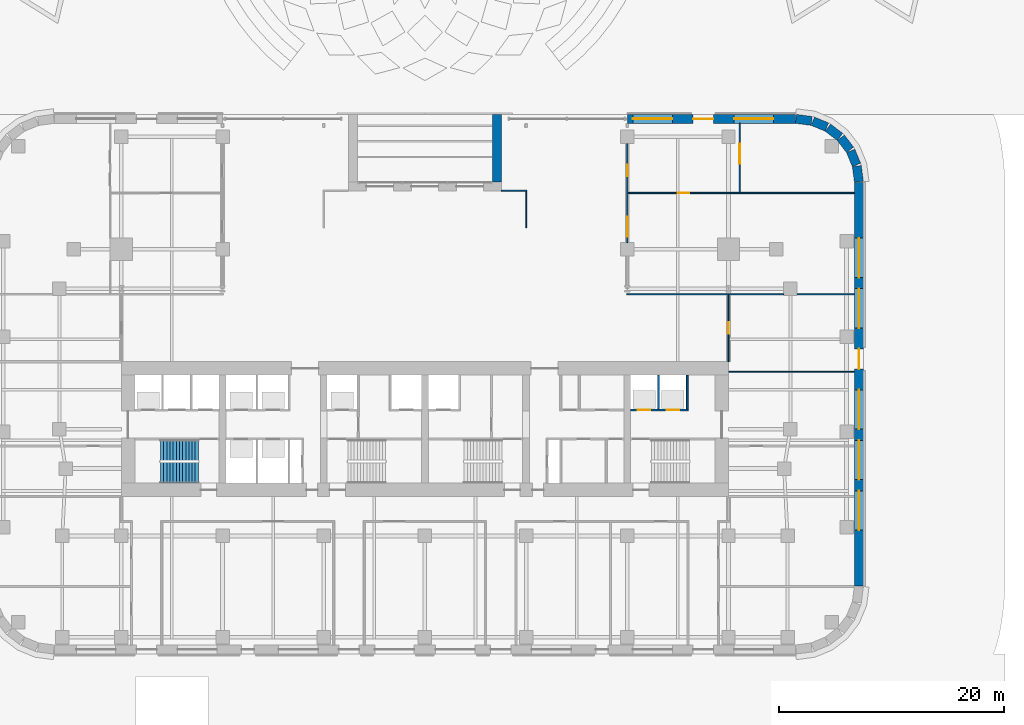
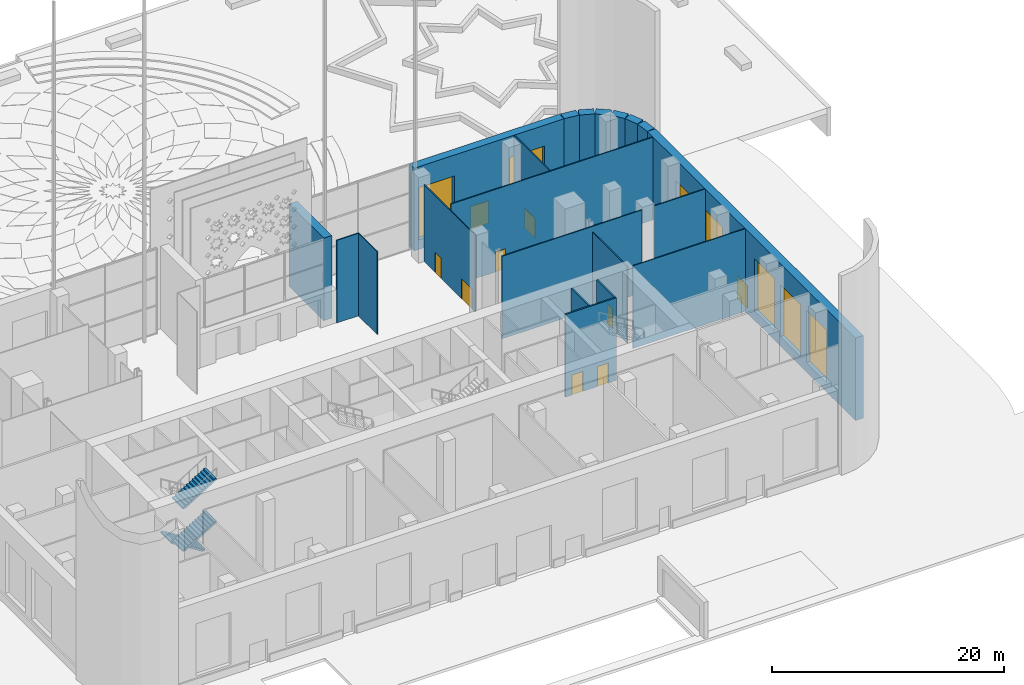
# One storey, part 14 of 23: 21 walls, 9 doors, 7 windows, 3 stair flights, 16 openings, 1 element without a shape of its own.
"""IFC4 building model written with IfcOpenShell, lengths in metres."""

import ifcopenshell
import ifcopenshell.guid

model = None  # the IFC model being written
_history = None  # IfcOwnerHistory: only IFC2X3 demands one
_inside = {}  # id of a spatial element -> (the spatial element, [elements in it])
_under = {}  # id of a project, library or spatial element -> (it, [spatial elements below it])
_declared = {}  # id of a project -> (the project, [libraries it declares])
_typed = {}  # id of a type object -> (the type object, [elements of that type])
_made_of = {}  # id of a material, layer set ... -> (it, [elements and type objects made of it])


def new_model(schema):
    """Start an empty IFC model of exactly this schema.

    Asked for "IFC4X3", IfcOpenShell would pick the latest addendum, in which some entities
    have other attributes; the version numbers below select the first issue.
    IFC2X3 requires an IfcOwnerHistory on every rooted entity: one is made here for all.
    """
    global model, _history
    if schema == "IFC4X3":
        model = ifcopenshell.file(schema_version=(4, 3, 0, 0))
    else:
        model = ifcopenshell.file(schema=schema)
    _inside.clear()
    _under.clear()
    _declared.clear()
    _typed.clear()
    _made_of.clear()
    _history = None
    if model.schema == "IFC2X3":
        org = make("IfcOrganization", Name="unknown")
        user = make(
            "IfcPersonAndOrganization",
            ThePerson=make("IfcPerson", FamilyName="unknown"),
            TheOrganization=org,
        )
        app = make(
            "IfcApplication",
            ApplicationDeveloper=org,
            Version="unknown",
            ApplicationFullName="unknown",
            ApplicationIdentifier="unknown",
        )
        _history = make(
            "IfcOwnerHistory",
            OwningUser=user,
            OwningApplication=app,
            ChangeAction="ADDED",
            CreationDate=0,
        )
    return model


def make(cls, **values):
    """One entity of the class cls with the attributes given. An attribute that is None is left unset."""
    return model.create_entity(
        cls, **{name: value for name, value in values.items() if value is not None}
    )


def rooted(cls, **values):
    """An entity with a GlobalId (a new one), such as an element, a storey or a relation."""
    return make(cls, GlobalId=ifcopenshell.guid.new(), OwnerHistory=_history, **values)


def si_unit(unit_type, name, prefix=None):
    """IfcSIUnit, for example si_unit("LENGTHUNIT", "METRE", prefix="MILLI")."""
    return make("IfcSIUnit", UnitType=unit_type, Prefix=prefix, Name=name)


def assignment(units):
    """IfcUnitAssignment: the units of a project."""
    return None if units is None else make("IfcUnitAssignment", Units=units)


def point(xyz):
    """IfcCartesianPoint."""
    return None if xyz is None else make("IfcCartesianPoint", Coordinates=xyz)


def direction(xyz):
    """IfcDirection."""
    return None if xyz is None else make("IfcDirection", DirectionRatios=xyz)


def frame(location, z_axis=None, x_axis=None):
    """IfcAxis2Placement3D, a coordinate frame: its origin and axes. An axis left out is left unset."""
    return make(
        "IfcAxis2Placement3D",
        Location=point(location),
        Axis=direction(z_axis),
        RefDirection=direction(x_axis),
    )


def frame_2d(location, x_axis=None):
    """IfcAxis2Placement2D, a coordinate frame in the plane: its origin and x axis."""
    return make(
        "IfcAxis2Placement2D", Location=point(location), RefDirection=direction(x_axis)
    )


def origin():
    """The frame at (0, 0, 0) with its axes left unset."""
    return frame((0.0, 0.0, 0.0))


def place(relative_to, where):
    """IfcLocalPlacement: puts the frame where relative to a parent placement (None: the world)."""
    return make(
        "IfcLocalPlacement", PlacementRelTo=relative_to, RelativePlacement=where
    )


def context(
    kind, dimensions, precision=None, world=None, true_north=None, identifier=None
):
    """IfcGeometricRepresentationContext, for example the 3D "Model" context."""
    return make(
        "IfcGeometricRepresentationContext",
        ContextIdentifier=identifier,
        ContextType=kind,
        CoordinateSpaceDimension=dimensions,
        Precision=precision,
        WorldCoordinateSystem=world,
        TrueNorth=true_north,
    )


def subcontext(parent, identifier, kind, view, scale=None):
    """IfcGeometricRepresentationSubContext, for example "Body" below "Model"."""
    return make(
        "IfcGeometricRepresentationSubContext",
        ContextIdentifier=identifier,
        ContextType=kind,
        ParentContext=parent,
        TargetScale=scale,
        TargetView=view,
    )


def project(units=None, contexts=None):
    """IfcProject with its units and contexts."""
    return rooted(
        "IfcProject",
        Name="project",
        RepresentationContexts=contexts,
        UnitsInContext=assignment(units),
    )


def spatial(cls, under=None, at=None, **own):
    """A site, building, storey or space (cls), placed at a placement, below another one or the project."""
    s = rooted(cls, ObjectPlacement=at, **own)
    if under is not None:
        _under.setdefault(under.id(), (under, []))[1].append(s)
    return s


def polyline(points):
    """IfcPolyline through the points."""
    return make("IfcPolyline", Points=[point(p) for p in points])


def profile(cls, at=None, kind="AREA", **sizes):
    """A parametric profile (cls). Its sizes go by their IFC names, for example OverallWidth=200.0."""
    return make(cls, ProfileType=kind, Position=at, **sizes)


def rectangle(**sizes):
    """IfcRectangleProfileDef."""
    return profile("IfcRectangleProfileDef", **sizes)


def outline(outer, holes=None, kind="AREA"):
    """IfcArbitraryClosedProfileDef: a profile drawn as a closed curve; with holes, ...WithVoids."""
    if holes is None:
        return make("IfcArbitraryClosedProfileDef", ProfileType=kind, OuterCurve=outer)
    return make(
        "IfcArbitraryProfileDefWithVoids",
        ProfileType=kind,
        OuterCurve=outer,
        InnerCurves=holes,
    )


def extrude(swept, where, along, depth):
    """IfcExtrudedAreaSolid: the profile swept, set in the frame where, extruded along a direction by depth."""
    return make(
        "IfcExtrudedAreaSolid",
        SweptArea=swept,
        Position=where,
        ExtrudedDirection=direction(along),
        Depth=depth,
    )


def shape(context_of_items, identifier, shape_type, items):
    """IfcShapeRepresentation: the items that make up one representation, for example the "Body"."""
    return make(
        "IfcShapeRepresentation",
        ContextOfItems=context_of_items,
        RepresentationIdentifier=identifier,
        RepresentationType=shape_type,
        Items=items,
    )


def material(Name=None, Category=None):
    """IfcMaterial."""
    return make("IfcMaterial", Name=Name, Category=Category)


def layer(
    of_material, thickness, ventilated=None, Name=None, Category=None, Priority=None
):
    """IfcMaterialLayer: one layer of a wall or slab, of a material (None: an air gap)."""
    return make(
        "IfcMaterialLayer",
        Material=of_material,
        LayerThickness=thickness,
        IsVentilated=ventilated,
        Name=Name,
        Category=Category,
        Priority=Priority,
    )


def layer_set(layers, Name=None):
    """IfcMaterialLayerSet."""
    return make("IfcMaterialLayerSet", MaterialLayers=layers, LayerSetName=Name)


def made_of(thing, what):
    """Note that an element or type object is made of a material, layer set ...; save() writes the relation."""
    if what is not None:
        _made_of.setdefault(what.id(), (what, []))[1].append(thing)
    return thing


def type_object(cls, material=None, **own):
    """A type object (cls), such as IfcWallType, which elements share."""
    return made_of(rooted(cls, **own), material)


def element(
    cls,
    number,
    at=None,
    inside=None,
    cuts=None,
    type_object=None,
    material=None,
    context=None,
    identifier="Body",
    shape_type=None,
    held_by="IfcProductDefinitionShape",
    body=None,
    shapes=None,
    **own,
):
    """One element of the class cls, such as IfcWall. Its Tag is "e" and its number.

    at: its placement. inside: the storey or other place that contains it. cuts: it is an
    opening in that element (IfcRelVoidsElement). A single representation is given by context,
    identifier, shape_type and body (its items); several are given by shapes. held_by: the class
    of the entity that holds the representations. save() writes the other relations.
    """
    e = rooted(cls, Tag="e%d" % number, ObjectPlacement=at, **own)
    if body is not None:
        shapes = [shape(context, identifier, shape_type, body)]
    if shapes is not None:
        e.Representation = make(held_by, Representations=shapes)
    if inside is not None:
        _inside.setdefault(inside.id(), (inside, []))[1].append(e)
    if cuts is not None:
        rooted(
            "IfcRelVoidsElement", RelatingBuildingElement=cuts, RelatedOpeningElement=e
        )
    if type_object is not None:
        _typed.setdefault(type_object.id(), (type_object, []))[1].append(e)
    return made_of(e, material)


def fill(opening, filler):
    """IfcRelFillsElement: the door or window that sits in an opening."""
    return rooted(
        "IfcRelFillsElement",
        RelatingOpeningElement=opening,
        RelatedBuildingElement=filler,
    )


def aggregate(whole, parts):
    """IfcRelAggregates: a whole, such as a stair, and the parts it consists of."""
    return rooted("IfcRelAggregates", RelatingObject=whole, RelatedObjects=parts)


def save(model, path):
    """Write the relations noted so far, then the file.

    IfcRelAggregates (storeys below a building ...), IfcRelContainedInSpatialStructure (elements
    in a storey), IfcRelDefinesByType, IfcRelAssociatesMaterial and IfcRelDeclares: one each for
    every whole, place, type object, material and project.
    """
    for whole, parts in _under.values():
        aggregate(whole, parts)
    for where, things in _inside.values():
        rooted(
            "IfcRelContainedInSpatialStructure",
            RelatedElements=things,
            RelatingStructure=where,
        )
    for kind, things in _typed.values():
        rooted("IfcRelDefinesByType", RelatedObjects=things, RelatingType=kind)
    for what, things in _made_of.values():
        rooted("IfcRelAssociatesMaterial", RelatedObjects=things, RelatingMaterial=what)
    for by, libraries in _declared.values():
        rooted("IfcRelDeclares", RelatingContext=by, RelatedDefinitions=libraries)
    model.write(path)


model = new_model("IFC4")

# Units and contexts
model_context = context("Model", 3, precision=1e-05, world=origin(), true_north=direction((0.0, 1.0)))
body_context = subcontext(model_context, "Body", "Model", "MODEL_VIEW")
ifc_project = project(units=[si_unit("LENGTHUNIT", "METRE"), si_unit("AREAUNIT", "SQUARE_METRE"), si_unit("VOLUMEUNIT", "CUBIC_METRE"), si_unit("PLANEANGLEUNIT", "RADIAN"), si_unit("MASSUNIT", "GRAM", prefix="KILO")], contexts=[model_context])

# Site, building, storey
site_placement = place(None, origin())
site = spatial("IfcSite", under=ifc_project, at=site_placement, CompositionType="ELEMENT")
building_placement = place(site_placement, origin())
building = spatial("IfcBuilding", under=site, at=building_placement, Name="Zellij Exchange Tower", CompositionType="ELEMENT")
storey_placement = place(building_placement, origin())
storey = spatial("IfcBuildingStorey", under=building, at=storey_placement, Name="L00", CompositionType="ELEMENT", Elevation=0.0)

# Walls
ifc_material_1 = material(Name="Gypsum shaft wall system")
ifc_layer_1 = layer(ifc_material_1, 0.14990234375)
ifc_layer_set_1 = layer_set([ifc_layer_1], Name="Gypsum shaft wall system")
wall_type_1 = type_object("IfcWallType", Name="CORE-PW 150 Lift shaft wall", PredefinedType="PARTITIONING", material=ifc_layer_set_1)
for number, where, z_axis, x_axis, name in (
    (1, (20.77490234375, -6.22509765625, 0.0), (0.0, 0.0, 1.0), (0.0, 1.0, 0.0), "Lift shaft wall L00"),
    (2, (23.324951171875, -6.22509765625, 0.0), (0.0, 0.0, 1.0), (0.0, 1.0, 0.0), "Lift shaft wall L00"),
):
    element("IfcWall", number, at=place(storey_placement, frame(where, z_axis=z_axis, x_axis=x_axis)), inside=storey, type_object=wall_type_1, Name=name, PredefinedType="PARTITIONING", context=body_context, shape_type="SweptSolid", body=[
        extrude(rectangle(XDim=3.025146484375, YDim=0.14990234375, at=frame_2d((1.5126953125, 0.0))), origin(), (0.0, 0.0, 1.0), 8.699951171875),
    ])

# Wall, openings, doors
wall_1_placement = place(storey_placement, frame((18.300048828125, -6.300048828125, 0.0), z_axis=(0.0, 0.0, 1.0), x_axis=(1.0, 0.0, 0.0)))
wall_1 = element("IfcWall", 3, at=wall_1_placement, inside=storey, type_object=wall_type_1, Name="Lift shaft wall L00", PredefinedType="PARTITIONING", context=body_context, shape_type="SweptSolid", body=[
    extrude(rectangle(XDim=5.099853515625, YDim=0.14990234375, at=frame_2d((2.5498046875, 0.0))), origin(), (0.0, 0.0, 1.0), 8.699951171875),
])
opening_1_placement = place(wall_1_placement, frame((0.64990234375, 0.0, 0.0)))
opening_1 = element("IfcOpeningElement", 4, at=opening_1_placement, cuts=wall_1, Name="Opening CA-03.32", PredefinedType="OPENING", context=body_context, shape_type="SweptSolid", body=[
    extrude(rectangle(XDim=1.10009765625, YDim=2.10009765625, at=frame_2d((0.550048828125, 1.050048828125))), frame((0.0, 0.0869140625, 0.0), z_axis=(0.0, -1.0, 0.0), x_axis=(1.0, 0.0, 0.0)), (0.0, 0.0, 1.0), 0.173828125),
])
opening_2_placement = place(wall_1_placement, frame((3.199951171875, 0.0, 0.0)))
opening_2 = element("IfcOpeningElement", 5, at=opening_2_placement, cuts=wall_1, Name="Opening CA-03.33", PredefinedType="OPENING", context=body_context, shape_type="SweptSolid", body=[
    extrude(rectangle(XDim=1.10009765625, YDim=2.10009765625, at=frame_2d((0.550048828125, 1.050048828125))), frame((0.0, 0.0869140625, 0.0), z_axis=(0.0, -1.0, 0.0), x_axis=(1.0, 0.0, 0.0)), (0.0, 0.0, 1.0), 0.173828125),
])
ifc_material_2 = material(Name="Hollow metal fire door")
door_type_1 = type_object("IfcDoorType", Name="CORE-D LD Lift landing door 1100x2100 1.5 HR", OperationType="NOTDEFINED", PredefinedType="DOOR", material=ifc_material_2)
door_1_placement = place(opening_1_placement, origin())
door_1 = element("IfcDoor", 6, at=door_1_placement, inside=storey, type_object=door_type_1, Name="Lift landing door CA-03.32", OperationType="SLIDING_TO_RIGHT", OverallHeight=2.10009765625, OverallWidth=1.10009765625, PredefinedType="DOOR", context=body_context, shape_type="SweptSolid", body=[
    extrude(rectangle(XDim=1.10009765625, YDim=2.10009765625, at=frame_2d((0.550048828125, 1.050048828125))), frame((0.0, 0.02490234375, 0.0), z_axis=(0.0, -1.0, 0.0), x_axis=(1.0, 0.0, 0.0)), (0.0, 0.0, 1.0), 0.050048828125),
])
fill(opening_1, door_1)
door_2_placement = place(opening_2_placement, origin())
door_2 = element("IfcDoor", 7, at=door_2_placement, inside=storey, type_object=door_type_1, Name="Lift landing door CA-03.33", OperationType="SLIDING_TO_LEFT", OverallHeight=2.10009765625, OverallWidth=1.10009765625, PredefinedType="DOOR", context=body_context, shape_type="SweptSolid", body=[
    extrude(rectangle(XDim=1.10009765625, YDim=2.10009765625, at=frame_2d((0.550048828125, 1.050048828125))), frame((0.0, 0.02490234375, 0.0), z_axis=(0.0, -1.0, 0.0), x_axis=(1.0, 0.0, 0.0)), (0.0, 0.0, 1.0), 0.050048828125),
])
fill(opening_2, door_2)

# Wall, openings, door, windows
ifc_material_3 = material(Name="Precast concrete C40/50", Category="concrete")
ifc_layer_2 = layer(ifc_material_3, 0.800048828125)
ifc_layer_set_2 = layer_set([ifc_layer_2], Name="Precast concrete C40/50")
wall_type_2 = type_object("IfcWallType", Name="ENV-EW1 Precast stone-piered wall 800", PredefinedType="SOLIDWALL", material=ifc_layer_set_2)
wall_2_placement = place(storey_placement, frame((38.60009765625, -21.947509765625, 0.0), z_axis=(0.0, 0.0, 1.0), x_axis=(0.0, 1.0, 0.0)))
wall_2 = element("IfcWall", 8, at=wall_2_placement, inside=storey, type_object=wall_type_2, Name="fac.L00.07", PredefinedType="SOLIDWALL", context=body_context, shape_type="SweptSolid", body=[
    extrude(rectangle(XDim=35.89501953125, YDim=0.800048828125, at=frame_2d((17.947509765625, 0.0))), origin(), (0.0, 0.0, 1.0), 8.699951171875),
])
opening_3_placement = place(wall_2_placement, frame((4.9638671875, 0.0, 1.0)))
opening_3 = element("IfcOpeningElement", 9, at=opening_3_placement, cuts=wall_2, Name="Opening FP0.07", PredefinedType="OPENING", context=body_context, shape_type="SweptSolid", body=[
    extrude(rectangle(XDim=3.5, YDim=5.5, at=frame_2d((1.75, 2.75))), frame((0.0, 0.412109375, 0.0), z_axis=(0.0, -1.0, 0.0), x_axis=(1.0, 0.0, 0.0)), (0.0, 0.0, 1.0), 0.823974609375),
])
opening_4_placement = place(wall_2_placement, frame((9.45751953125, 0.0, 1.0)))
opening_4 = element("IfcOpeningElement", 10, at=opening_4_placement, cuts=wall_2, Name="Opening FP0.08", PredefinedType="OPENING", context=body_context, shape_type="SweptSolid", body=[
    extrude(rectangle(XDim=3.5, YDim=5.5, at=frame_2d((1.75, 2.75))), frame((0.0, 0.412109375, 0.0), z_axis=(0.0, -1.0, 0.0), x_axis=(1.0, 0.0, 0.0)), (0.0, 0.0, 1.0), 0.823974609375),
])
opening_5_placement = place(wall_2_placement, frame((13.950927734375, 0.0, 1.0)))
opening_5 = element("IfcOpeningElement", 11, at=opening_5_placement, cuts=wall_2, Name="Opening FP0.09", PredefinedType="OPENING", context=body_context, shape_type="SweptSolid", body=[
    extrude(rectangle(XDim=3.5, YDim=5.5, at=frame_2d((1.75, 2.75))), frame((0.0, 0.412109375, 0.0), z_axis=(0.0, -1.0, 0.0), x_axis=(1.0, 0.0, 0.0)), (0.0, 0.0, 1.0), 0.823974609375),
])
opening_6_placement = place(wall_2_placement, frame((22.937744140625, 0.0, 1.0)))
opening_6 = element("IfcOpeningElement", 12, at=opening_6_placement, cuts=wall_2, Name="Opening FP0.10", PredefinedType="OPENING", context=body_context, shape_type="SweptSolid", body=[
    extrude(rectangle(XDim=3.5, YDim=5.5, at=frame_2d((1.75, 2.75))), frame((0.0, 0.412109375, 0.0), z_axis=(0.0, -1.0, 0.0), x_axis=(1.0, 0.0, 0.0)), (0.0, 0.0, 1.0), 0.823974609375),
])
opening_7_placement = place(wall_2_placement, frame((27.43115234375, 0.0, 1.0)))
opening_7 = element("IfcOpeningElement", 13, at=opening_7_placement, cuts=wall_2, Name="Opening FP0.11", PredefinedType="OPENING", context=body_context, shape_type="SweptSolid", body=[
    extrude(rectangle(XDim=3.5, YDim=5.5, at=frame_2d((1.75, 2.75))), frame((0.0, 0.412109375, 0.0), z_axis=(0.0, -1.0, 0.0), x_axis=(1.0, 0.0, 0.0)), (0.0, 0.0, 1.0), 0.823974609375),
])
opening_8_placement = place(wall_2_placement, frame((19.294189453125, 0.0, 0.0)))
opening_8 = element("IfcOpeningElement", 14, at=opening_8_placement, cuts=wall_2, Name="Opening FP0.31", PredefinedType="OPENING", context=body_context, shape_type="SweptSolid", body=[
    extrude(rectangle(XDim=1.800048828125, YDim=2.39990234375, at=frame_2d((0.89990234375, 1.199951171875))), frame((0.0, 0.412109375, 0.0), z_axis=(0.0, -1.0, 0.0), x_axis=(1.0, 0.0, 0.0)), (0.0, 0.0, 1.0), 0.823974609375),
])
ifc_material_4 = material(Name="Aluminium and glass entrance door", Category="aluminium")
door_type_2 = type_object("IfcDoorType", Name="ENV-ED2 Side entrance 1800x2400", OperationType="DOUBLE_DOOR_SINGLE_SWING", PredefinedType="DOOR", material=ifc_material_4)
door_3_placement = place(opening_8_placement, frame((1.800048828125, 0.0, 0.0), z_axis=(0.0, 0.0, 1.0), x_axis=(-1.0, 0.0, 0.0)))
door_3 = element("IfcDoor", 15, at=door_3_placement, inside=storey, type_object=door_type_2, Name="Side entrance door FP0.31", OperationType="DOUBLE_DOOR_SINGLE_SWING", OverallHeight=2.39990234375, OverallWidth=1.800048828125, PredefinedType="DOOR", context=body_context, shape_type="SweptSolid", body=[
    extrude(rectangle(XDim=1.800048828125, YDim=2.39990234375, at=frame_2d((0.89990234375, 1.199951171875))), frame((0.0, 0.02490234375, 0.0), z_axis=(0.0, -1.0, 0.0), x_axis=(1.0, 0.0, 0.0)), (0.0, 0.0, 1.0), 0.050048828125),
])
fill(opening_8, door_3)
ifc_material_5 = material(Name="Aluminium frame with insulating glass", Category="aluminium")
window_type = type_object("IfcWindowType", Name="ENV-W3 Window 3500x5500", PartitioningType="SINGLE_PANEL", PredefinedType="WINDOW", material=ifc_material_5)
window_1_placement = place(opening_3_placement, origin())
window_1 = element("IfcWindow", 16, at=window_1_placement, inside=storey, type_object=window_type, Name="Window FP0.07", OverallHeight=5.5, OverallWidth=3.5, PartitioningType="SINGLE_PANEL", PredefinedType="WINDOW", context=body_context, shape_type="SweptSolid", body=[
    extrude(rectangle(XDim=3.5, YDim=5.5, at=frame_2d((1.75, 2.75))), frame((0.0, 0.030029296875, 0.0), z_axis=(0.0, -1.0, 0.0), x_axis=(1.0, 0.0, 0.0)), (0.0, 0.0, 1.0), 0.06005859375),
])
fill(opening_3, window_1)
window_2_placement = place(opening_4_placement, origin())
window_2 = element("IfcWindow", 17, at=window_2_placement, inside=storey, type_object=window_type, Name="Window FP0.08", OverallHeight=5.5, OverallWidth=3.5, PartitioningType="SINGLE_PANEL", PredefinedType="WINDOW", context=body_context, shape_type="SweptSolid", body=[
    extrude(rectangle(XDim=3.5, YDim=5.5, at=frame_2d((1.75, 2.75))), frame((0.0, 0.030029296875, 0.0), z_axis=(0.0, -1.0, 0.0), x_axis=(1.0, 0.0, 0.0)), (0.0, 0.0, 1.0), 0.06005859375),
])
fill(opening_4, window_2)
window_3_placement = place(opening_5_placement, origin())
window_3 = element("IfcWindow", 18, at=window_3_placement, inside=storey, type_object=window_type, Name="Window FP0.09", OverallHeight=5.5, OverallWidth=3.5, PartitioningType="SINGLE_PANEL", PredefinedType="WINDOW", context=body_context, shape_type="SweptSolid", body=[
    extrude(rectangle(XDim=3.5, YDim=5.5, at=frame_2d((1.75, 2.75))), frame((0.0, 0.030029296875, 0.0), z_axis=(0.0, -1.0, 0.0), x_axis=(1.0, 0.0, 0.0)), (0.0, 0.0, 1.0), 0.06005859375),
])
fill(opening_5, window_3)
window_4_placement = place(opening_6_placement, origin())
window_4 = element("IfcWindow", 19, at=window_4_placement, inside=storey, type_object=window_type, Name="Window FP0.10", OverallHeight=5.5, OverallWidth=3.5, PartitioningType="SINGLE_PANEL", PredefinedType="WINDOW", context=body_context, shape_type="SweptSolid", body=[
    extrude(rectangle(XDim=3.5, YDim=5.5, at=frame_2d((1.75, 2.75))), frame((0.0, 0.030029296875, 0.0), z_axis=(0.0, -1.0, 0.0), x_axis=(1.0, 0.0, 0.0)), (0.0, 0.0, 1.0), 0.06005859375),
])
fill(opening_6, window_4)
window_5_placement = place(opening_7_placement, origin())
window_5 = element("IfcWindow", 20, at=window_5_placement, inside=storey, type_object=window_type, Name="Window FP0.11", OverallHeight=5.5, OverallWidth=3.5, PartitioningType="SINGLE_PANEL", PredefinedType="WINDOW", context=body_context, shape_type="SweptSolid", body=[
    extrude(rectangle(XDim=3.5, YDim=5.5, at=frame_2d((1.75, 2.75))), frame((0.0, 0.030029296875, 0.0), z_axis=(0.0, -1.0, 0.0), x_axis=(1.0, 0.0, 0.0)), (0.0, 0.0, 1.0), 0.06005859375),
])
fill(opening_7, window_5)

# Walls
wall_3_placement = place(storey_placement, frame((38.5966796875, 13.999755859375, 0.0), z_axis=(0.0, 0.0, 1.0), x_axis=(-0.130517283865, 0.99144603414, 0.0)))
element("IfcWall", 21, at=wall_3_placement, inside=storey, type_object=wall_type_2, Name="fac.L00.08", PredefinedType="SOLIDWALL", context=body_context, shape_type="SweptSolid", body=[
    extrude(rectangle(XDim=1.408447265625, YDim=0.800048828125, at=frame_2d((0.7041015625, 0.0))), origin(), (0.0, 0.0, 1.0), 8.699951171875),
])
wall_4_placement = place(storey_placement, frame((38.3857421875, 15.497314453125, 0.0), z_axis=(0.0, 0.0, 1.0), x_axis=(-0.38276009378, 0.923847774587, 0.0)))
element("IfcWall", 22, at=wall_4_placement, inside=storey, type_object=wall_type_2, Name="fac.L00.09", PredefinedType="SOLIDWALL", context=body_context, shape_type="SweptSolid", body=[
    extrude(rectangle(XDim=1.35546875, YDim=0.800048828125, at=frame_2d((0.677734375, 0.0))), origin(), (0.0, 0.0, 1.0), 8.699951171875),
])
for number, where, z_axis, x_axis, name in (
    (23, (37.814697265625, 16.840087890625, 0.0), (0.0, 0.0, 1.0), (-0.608866226366, 0.793272915452, 0.0), "fac.L00.10"),
    (24, (36.91552734375, 17.9892578125, 0.0), (0.0, 0.0, 1.0), (-0.793272915452, 0.608866226366, 0.0), "fac.L00.11"),
):
    element("IfcWall", number, at=place(storey_placement, frame(where, z_axis=z_axis, x_axis=x_axis)), inside=storey, type_object=wall_type_2, Name=name, PredefinedType="SOLIDWALL", context=body_context, shape_type="SweptSolid", body=[
        extrude(rectangle(XDim=1.355712890625, YDim=0.800048828125, at=frame_2d((0.677734375, 0.0))), origin(), (0.0, 0.0, 1.0), 8.699951171875),
    ])
wall_5_placement = place(storey_placement, frame((35.74951171875, 18.866943359375, 0.0), z_axis=(0.0, 0.0, 1.0), x_axis=(-0.923847774587, 0.38276009378, 0.0)))
element("IfcWall", 25, at=wall_5_placement, inside=storey, type_object=wall_type_2, Name="fac.L00.12", PredefinedType="SOLIDWALL", context=body_context, shape_type="SweptSolid", body=[
    extrude(rectangle(XDim=1.35546875, YDim=0.800048828125, at=frame_2d((0.677734375, 0.0))), origin(), (0.0, 0.0, 1.0), 8.699951171875),
])
wall_6_placement = place(storey_placement, frame((34.396240234375, 19.412841796875, 0.0), z_axis=(0.0, 0.0, 1.0), x_axis=(-0.99144603414, 0.130517283865, 0.0)))
element("IfcWall", 26, at=wall_6_placement, inside=storey, type_object=wall_type_2, Name="fac.L00.13", PredefinedType="SOLIDWALL", context=body_context, shape_type="SweptSolid", body=[
    extrude(rectangle(XDim=1.408447265625, YDim=0.800048828125, at=frame_2d((0.7041015625, 0.0))), origin(), (0.0, 0.0, 1.0), 8.699951171875),
])

# Wall, openings, door, windows
wall_7_placement = place(storey_placement, frame((32.947509765625, 19.60009765625, 0.0), z_axis=(0.0, 0.0, 1.0), x_axis=(-1.0, 0.0, 0.0)))
wall_7 = element("IfcWall", 27, at=wall_7_placement, inside=storey, type_object=wall_type_2, Name="fac.L00.14a", PredefinedType="SOLIDWALL", context=body_context, shape_type="SweptSolid", body=[
    extrude(rectangle(XDim=14.947509765625, YDim=0.800048828125, at=frame_2d((7.4736328125, 0.0))), origin(), (0.0, 0.0, 1.0), 8.699951171875),
])
opening_9_placement = place(wall_7_placement, frame((1.947509765625, 0.0, 1.0)))
opening_9 = element("IfcOpeningElement", 28, at=opening_9_placement, cuts=wall_7, Name="Opening FP0.13", PredefinedType="OPENING", context=body_context, shape_type="SweptSolid", body=[
    extrude(rectangle(XDim=3.5, YDim=5.5, at=frame_2d((1.75, 2.75))), frame((0.0, 0.412109375, 0.0), z_axis=(0.0, -1.0, 0.0), x_axis=(1.0, 0.0, 0.0)), (0.0, 0.0, 1.0), 0.823974609375),
])
opening_10_placement = place(wall_7_placement, frame((10.947509765625, 0.0, 1.0)))
opening_10 = element("IfcOpeningElement", 29, at=opening_10_placement, cuts=wall_7, Name="Opening FP0.15", PredefinedType="OPENING", context=body_context, shape_type="SweptSolid", body=[
    extrude(rectangle(XDim=3.5, YDim=5.5, at=frame_2d((1.75, 2.75))), frame((0.0, 0.412109375, 0.0), z_axis=(0.0, -1.0, 0.0), x_axis=(1.0, 0.0, 0.0)), (0.0, 0.0, 1.0), 0.823974609375),
])
opening_11_placement = place(wall_7_placement, frame((7.297607421875, 0.0, 0.0)))
opening_11 = element("IfcOpeningElement", 30, at=opening_11_placement, cuts=wall_7, Name="Opening FP0.33", PredefinedType="OPENING", context=body_context, shape_type="SweptSolid", body=[
    extrude(rectangle(XDim=1.800048828125, YDim=2.39990234375, at=frame_2d((0.89990234375, 1.199951171875))), frame((0.0, 0.412109375, 0.0), z_axis=(0.0, -1.0, 0.0), x_axis=(1.0, 0.0, 0.0)), (0.0, 0.0, 1.0), 0.823974609375),
])
door_4_placement = place(opening_11_placement, frame((1.800048828125, 0.0, 0.0), z_axis=(0.0, 0.0, 1.0), x_axis=(-1.0, 0.0, 0.0)))
door_4 = element("IfcDoor", 31, at=door_4_placement, inside=storey, type_object=door_type_2, Name="Side entrance door FP0.33", OperationType="DOUBLE_DOOR_SINGLE_SWING", OverallHeight=2.39990234375, OverallWidth=1.800048828125, PredefinedType="DOOR", context=body_context, shape_type="SweptSolid", body=[
    extrude(rectangle(XDim=1.800048828125, YDim=2.39990234375, at=frame_2d((0.89990234375, 1.199951171875))), frame((0.0, 0.02490234375, 0.0), z_axis=(0.0, -1.0, 0.0), x_axis=(1.0, 0.0, 0.0)), (0.0, 0.0, 1.0), 0.050048828125),
])
fill(opening_11, door_4)
window_6_placement = place(opening_9_placement, origin())
window_6 = element("IfcWindow", 32, at=window_6_placement, inside=storey, type_object=window_type, Name="Window FP0.13", OverallHeight=5.5, OverallWidth=3.5, PartitioningType="SINGLE_PANEL", PredefinedType="WINDOW", context=body_context, shape_type="SweptSolid", body=[
    extrude(rectangle(XDim=3.5, YDim=5.5, at=frame_2d((1.75, 2.75))), frame((0.0, 0.030029296875, 0.0), z_axis=(0.0, -1.0, 0.0), x_axis=(1.0, 0.0, 0.0)), (0.0, 0.0, 1.0), 0.06005859375),
])
fill(opening_9, window_6)
window_7_placement = place(opening_10_placement, origin())
window_7 = element("IfcWindow", 33, at=window_7_placement, inside=storey, type_object=window_type, Name="Window FP0.15", OverallHeight=5.5, OverallWidth=3.5, PartitioningType="SINGLE_PANEL", PredefinedType="WINDOW", context=body_context, shape_type="SweptSolid", body=[
    extrude(rectangle(XDim=3.5, YDim=5.5, at=frame_2d((1.75, 2.75))), frame((0.0, 0.030029296875, 0.0), z_axis=(0.0, -1.0, 0.0), x_axis=(1.0, 0.0, 0.0)), (0.0, 0.0, 1.0), 0.06005859375),
])
fill(opening_10, window_7)

# Walls
wall_8_placement = place(storey_placement, frame((6.39990234375, 14.0, 0.0), z_axis=(0.0, 0.0, 1.0), x_axis=(0.0, 1.0, 0.0)))
element("IfcWall", 34, at=wall_8_placement, inside=storey, type_object=wall_type_2, Name="fac.L00.portal.revealE", PredefinedType="SOLIDWALL", context=body_context, shape_type="SweptSolid", body=[
    extrude(rectangle(XDim=6.0, YDim=0.800048828125, at=frame_2d((3.0, 0.0))), origin(), (0.0, 0.0, 1.0), 8.699951171875),
])
ifc_material_6 = material(Name="Gypsum board partition on steel studs", Category="steel")
ifc_layer_3 = layer(ifc_material_6, 0.10009765625)
ifc_layer_set_3 = layer_set([ifc_layer_3], Name="Gypsum board partition on steel studs")
wall_type_3 = type_object("IfcWallType", Name="FIT-PARTITION-100", PredefinedType="PARTITIONING", material=ifc_layer_set_3)
wall_9_placement = place(storey_placement, frame((27.0, -2.89990234375, 0.0), z_axis=(0.0, 0.0, 1.0), x_axis=(1.0, 0.0, 0.0)))
element("IfcWall", 35, at=wall_9_placement, inside=storey, type_object=wall_type_3, Name="FIT-PARTITION-100 023", PredefinedType="PARTITIONING", context=body_context, shape_type="SweptSolid", body=[
    extrude(rectangle(XDim=11.199951171875, YDim=0.10009765625, at=frame_2d((5.60009765625, 0.0))), origin(), (0.0, 0.0, 1.0), 8.699951171875),
])

# Wall, opening, door
wall_10_placement = place(storey_placement, frame((27.0, -2.0, 0.0), z_axis=(0.0, 0.0, 1.0), x_axis=(0.0, 1.0, 0.0)))
wall_10 = element("IfcWall", 36, at=wall_10_placement, inside=storey, type_object=wall_type_3, Name="FIT-PARTITION-100 026", PredefinedType="PARTITIONING", context=body_context, shape_type="SweptSolid", body=[
    extrude(rectangle(XDim=5.949951171875, YDim=0.10009765625, at=frame_2d((2.97509765625, 0.0))), origin(), (0.0, 0.0, 1.0), 8.087890625),
])
opening_12_placement = place(wall_10_placement, frame((2.5, 0.0, 0.0)))
opening_12 = element("IfcOpeningElement", 37, at=opening_12_placement, cuts=wall_10, Name="Opening P0.13", PredefinedType="OPENING", context=body_context, shape_type="SweptSolid", body=[
    extrude(rectangle(XDim=1.0, YDim=2.10009765625, at=frame_2d((0.5, 1.050048828125))), frame((0.0, 0.06201171875, 0.0), z_axis=(0.0, -1.0, 0.0), x_axis=(1.0, 0.0, 0.0)), (0.0, 0.0, 1.0), 0.1240234375),
])
ifc_material_7 = material(Name="Timber door set", Category="wood")
door_type_3 = type_object("IfcDoorType", Name="FIT-D2-WIDE-1000X2100", OperationType="SINGLE_SWING_LEFT", PredefinedType="DOOR", material=ifc_material_7)
door_5_placement = place(opening_12_placement, origin())
door_5 = element("IfcDoor", 38, at=door_5_placement, inside=storey, type_object=door_type_3, Name="Door P0.13", OperationType="SINGLE_SWING_RIGHT", OverallHeight=2.10009765625, OverallWidth=1.0, PredefinedType="DOOR", context=body_context, shape_type="SweptSolid", body=[
    extrude(rectangle(XDim=1.0, YDim=2.10009765625, at=frame_2d((0.5, 1.050048828125))), frame((0.0, 0.02490234375, 0.0), z_axis=(0.0, -1.0, 0.0), x_axis=(1.0, 0.0, 0.0)), (0.0, 0.0, 1.0), 0.050048828125),
])
fill(opening_12, door_5)

# Walls
wall_11_placement = place(storey_placement, frame((17.949951171875, 4.0, 0.0), z_axis=(0.0, 0.0, 1.0), x_axis=(1.0, 0.0, 0.0)))
element("IfcWall", 39, at=wall_11_placement, inside=storey, type_object=wall_type_3, Name="FIT-PARTITION-100 033", PredefinedType="PARTITIONING", context=body_context, shape_type="SweptSolid", body=[
    extrude(rectangle(XDim=13.949951171875, YDim=0.10009765625, at=frame_2d((6.97509765625, 0.0))), origin(), (0.0, 0.0, 1.0), 8.699951171875),
])
wall_12_placement = place(storey_placement, frame((33.10009765625, 4.0, 0.0), z_axis=(0.0, 0.0, 1.0), x_axis=(1.0, 0.0, 0.0)))
element("IfcWall", 40, at=wall_12_placement, inside=storey, type_object=wall_type_3, Name="FIT-PARTITION-100 034", PredefinedType="PARTITIONING", context=body_context, shape_type="SweptSolid", body=[
    extrude(rectangle(XDim=5.099853515625, YDim=0.10009765625, at=frame_2d((2.5498046875, 0.0))), origin(), (0.0, 0.0, 1.0), 8.699951171875),
])

# Wall, openings, doors
wall_13_placement = place(storey_placement, frame((18.0, 8.60009765625, 0.0), z_axis=(0.0, 0.0, 1.0), x_axis=(0.0, 1.0, 0.0)))
wall_13 = element("IfcWall", 41, at=wall_13_placement, inside=storey, type_object=wall_type_3, Name="FIT-PARTITION-100 036", PredefinedType="PARTITIONING", context=body_context, shape_type="SweptSolid", body=[
    extrude(rectangle(XDim=8.7998046875, YDim=0.10009765625, at=frame_2d((4.39990234375, 0.0))), origin(), (0.0, 0.0, 1.0), 8.087890625),
])
opening_13_placement = place(wall_13_placement, frame((0.5, 0.0, 0.0)))
opening_13 = element("IfcOpeningElement", 42, at=opening_13_placement, cuts=wall_13, Name="Opening P0.15", PredefinedType="OPENING", context=body_context, shape_type="SweptSolid", body=[
    extrude(rectangle(XDim=1.800048828125, YDim=2.10009765625, at=frame_2d((0.89990234375, 1.050048828125))), frame((0.0, 0.06201171875, 0.0), z_axis=(0.0, -1.0, 0.0), x_axis=(1.0, 0.0, 0.0)), (0.0, 0.0, 1.0), 0.1240234375),
])
opening_14_placement = place(wall_13_placement, frame((5.89990234375, 0.0, 0.0)))
opening_14 = element("IfcOpeningElement", 43, at=opening_14_placement, cuts=wall_13, Name="Opening P0.20", PredefinedType="OPENING", context=body_context, shape_type="SweptSolid", body=[
    extrude(rectangle(XDim=1.0, YDim=2.10009765625, at=frame_2d((0.5, 1.050048828125))), frame((0.0, 0.06201171875, 0.0), z_axis=(0.0, -1.0, 0.0), x_axis=(1.0, 0.0, 0.0)), (0.0, 0.0, 1.0), 0.1240234375),
])
door_6_placement = place(opening_14_placement, origin())
door_6 = element("IfcDoor", 44, at=door_6_placement, inside=storey, type_object=door_type_3, Name="Door P0.20", OperationType="SINGLE_SWING_RIGHT", OverallHeight=2.10009765625, OverallWidth=1.0, PredefinedType="DOOR", context=body_context, shape_type="SweptSolid", body=[
    extrude(rectangle(XDim=1.0, YDim=2.10009765625, at=frame_2d((0.5, 1.050048828125))), frame((0.0, 0.02490234375, 0.0), z_axis=(0.0, -1.0, 0.0), x_axis=(1.0, 0.0, 0.0)), (0.0, 0.0, 1.0), 0.050048828125),
])
fill(opening_14, door_6)
door_type_4 = type_object("IfcDoorType", Name="FIT-D3-DOUBLE-1800X2100", OperationType="DOUBLE_DOOR_SINGLE_SWING", PredefinedType="DOOR", material=ifc_material_7)
door_7_placement = place(opening_13_placement, origin())
door_7 = element("IfcDoor", 45, at=door_7_placement, inside=storey, type_object=door_type_4, Name="Door P0.15", OperationType="DOUBLE_DOOR_SINGLE_SWING", OverallHeight=2.10009765625, OverallWidth=1.800048828125, PredefinedType="DOOR", context=body_context, shape_type="SweptSolid", body=[
    extrude(rectangle(XDim=1.800048828125, YDim=2.10009765625, at=frame_2d((0.89990234375, 1.050048828125))), frame((0.0, 0.02490234375, 0.0), z_axis=(0.0, -1.0, 0.0), x_axis=(1.0, 0.0, 0.0)), (0.0, 0.0, 1.0), 0.050048828125),
])
fill(opening_13, door_7)

# Wall
wall_14_placement = place(storey_placement, frame((9.0, 9.89990234375, 0.0), z_axis=(0.0, 0.0, 1.0), x_axis=(0.0, 1.0, 0.0)))
element("IfcWall", 46, at=wall_14_placement, inside=storey, type_object=wall_type_3, Name="FIT-PARTITION-100 038", PredefinedType="PARTITIONING", context=body_context, shape_type="SweptSolid", body=[
    extrude(rectangle(XDim=3.25, YDim=0.10009765625, at=frame_2d((1.625, 0.0))), origin(), (0.0, 0.0, 1.0), 8.699951171875),
])

# Wall, opening, door
wall_15_placement = place(storey_placement, frame((18.050048828125, 13.0, 0.0), z_axis=(0.0, 0.0, 1.0), x_axis=(1.0, 0.0, 0.0)))
wall_15 = element("IfcWall", 47, at=wall_15_placement, inside=storey, type_object=wall_type_3, Name="FIT-PARTITION-100 040", PredefinedType="PARTITIONING", context=body_context, shape_type="SweptSolid", body=[
    extrude(rectangle(XDim=20.14990234375, YDim=0.10009765625, at=frame_2d((10.074951171875, 0.0))), origin(), (0.0, 0.0, 1.0), 8.699951171875),
])
opening_15_placement = place(wall_15_placement, frame((4.449951171875, 0.0, 0.0)))
opening_15 = element("IfcOpeningElement", 48, at=opening_15_placement, cuts=wall_15, Name="Opening P0.17", PredefinedType="OPENING", context=body_context, shape_type="SweptSolid", body=[
    extrude(rectangle(XDim=1.0, YDim=2.10009765625, at=frame_2d((0.5, 1.050048828125))), frame((0.0, 0.06201171875, 0.0), z_axis=(0.0, -1.0, 0.0), x_axis=(1.0, 0.0, 0.0)), (0.0, 0.0, 1.0), 0.1240234375),
])
door_8_placement = place(opening_15_placement, origin())
door_8 = element("IfcDoor", 49, at=door_8_placement, inside=storey, type_object=door_type_3, Name="Door P0.17", OperationType="SINGLE_SWING_RIGHT", OverallHeight=2.10009765625, OverallWidth=1.0, PredefinedType="DOOR", context=body_context, shape_type="SweptSolid", body=[
    extrude(rectangle(XDim=1.0, YDim=2.10009765625, at=frame_2d((0.5, 1.050048828125))), frame((0.0, 0.02490234375, 0.0), z_axis=(0.0, -1.0, 0.0), x_axis=(1.0, 0.0, 0.0)), (0.0, 0.0, 1.0), 0.050048828125),
])
fill(opening_15, door_8)

wall_16_placement = place(storey_placement, frame((28.0, 13.050048828125, 0.0), z_axis=(0.0, 0.0, 1.0), x_axis=(0.0, 1.0, 0.0)))
wall_16 = element("IfcWall", 50, at=wall_16_placement, inside=storey, type_object=wall_type_3, Name="FIT-PARTITION-100 041", PredefinedType="PARTITIONING", context=body_context, shape_type="SweptSolid", body=[
    extrude(rectangle(XDim=6.14990234375, YDim=0.10009765625, at=frame_2d((3.074951171875, 0.0))), origin(), (0.0, 0.0, 1.0), 8.699951171875),
])
opening_16_placement = place(wall_16_placement, frame((2.550048828125, 0.0, 0.0)))
opening_16 = element("IfcOpeningElement", 51, at=opening_16_placement, cuts=wall_16, Name="Opening P0.22", PredefinedType="OPENING", context=body_context, shape_type="SweptSolid", body=[
    extrude(rectangle(XDim=1.800048828125, YDim=2.10009765625, at=frame_2d((0.89990234375, 1.050048828125))), frame((0.0, 0.06201171875, 0.0), z_axis=(0.0, -1.0, 0.0), x_axis=(1.0, 0.0, 0.0)), (0.0, 0.0, 1.0), 0.1240234375),
])
door_9_placement = place(opening_16_placement, origin())
door_9 = element("IfcDoor", 52, at=door_9_placement, inside=storey, type_object=door_type_4, Name="Door P0.22", OperationType="DOUBLE_DOOR_SINGLE_SWING", OverallHeight=2.10009765625, OverallWidth=1.800048828125, PredefinedType="DOOR", context=body_context, shape_type="SweptSolid", body=[
    extrude(rectangle(XDim=1.800048828125, YDim=2.10009765625, at=frame_2d((0.89990234375, 1.050048828125))), frame((0.0, 0.02490234375, 0.0), z_axis=(0.0, -1.0, 0.0), x_axis=(1.0, 0.0, 0.0)), (0.0, 0.0, 1.0), 0.050048828125),
])
fill(opening_16, door_9)

# Wall
wall_17_placement = place(storey_placement, frame((6.800048828125, 13.199951171875, 0.0), z_axis=(0.0, 0.0, 1.0), x_axis=(1.0, 0.0, 0.0)))
element("IfcWall", 53, at=wall_17_placement, inside=storey, type_object=wall_type_3, Name="FIT-PARTITION-100 043", PredefinedType="PARTITIONING", context=body_context, shape_type="SweptSolid", body=[
    extrude(rectangle(XDim=2.25, YDim=0.10009765625, at=frame_2d((1.125, 0.0))), origin(), (0.0, 0.0, 1.0), 8.699951171875),
])

# Stair, stair flights
ifc_material_8 = material(Name="Concrete C40/50", Category="concrete")
stair_type = type_object("IfcStairType", Name="CORE-ST exit stair 1850 wide", PredefinedType="HALF_TURN_STAIR", material=ifc_material_8)
stair_placement = place(storey_placement, origin())
stair = element("IfcStair", 54, at=stair_placement, inside=storey, type_object=stair_type, Name="L00 exit stair ST1", PredefinedType="HALF_TURN_STAIR")
stair_flight_type = type_object("IfcStairFlightType", Name="CORE-SF flight 1850 riser 173.1 going 280", PredefinedType="STRAIGHT", material=ifc_material_8)
stair_flight_1_placement = place(storey_placement, frame((-20.14990234375, -9.875, 0.0), z_axis=(0.0, 0.0, 1.0), x_axis=(-1.0, 0.0, 0.0)))
stair_flight_1 = element("IfcStairFlight", 55, at=stair_flight_1_placement, type_object=stair_flight_type, Name="ST1 flight 1", NumberOfRisers=13, NumberOfTreads=12, PredefinedType="STRAIGHT", RiserHeight=0.173076923, TreadLength=0.28, context=body_context, shape_type="SweptSolid", body=[
    extrude(outline(polyline([(0.0, 0.0), (0.0, 0.173095703125), (0.280029296875, 0.173095703125), (0.280029296875, 0.34619140625), (0.56005859375, 0.34619140625), (0.56005859375, 0.519287109375), (0.840087890625, 0.519287109375), (0.840087890625, 0.6923828125), (1.1201171875, 0.6923828125), (1.1201171875, 0.865478515625), (1.39990234375, 0.865478515625), (1.39990234375, 1.03857421875), (1.679931640625, 1.03857421875), (1.679931640625, 1.21142578125), (1.9599609375, 1.21142578125), (1.9599609375, 1.384521484375), (2.239990234375, 1.384521484375), (2.239990234375, 1.5576171875), (2.52001953125, 1.5576171875), (2.52001953125, 1.730712890625), (2.800048828125, 1.730712890625), (2.800048828125, 1.90380859375), (3.080078125, 1.90380859375), (3.080078125, 2.076904296875), (3.360107421875, 2.076904296875), (3.360107421875, 2.25), (3.360107421875, 1.900634765625), (0.28515625, 0.0), (0.0, 0.0)])), frame((0.0, 0.925048828125, 0.0), z_axis=(0.0, -1.0, 0.0), x_axis=(1.0, 0.0, 0.0)), (0.0, 0.0, 1.0), 1.85009765625),
])
stair_flight_2_placement = place(storey_placement, frame((-23.510009765625, -11.875, 2.25), z_axis=(0.0, 0.0, 1.0), x_axis=(1.0, 0.0, 0.0)))
stair_flight_2 = element("IfcStairFlight", 56, at=stair_flight_2_placement, type_object=stair_flight_type, Name="ST1 flight 2", NumberOfRisers=13, NumberOfTreads=12, PredefinedType="STRAIGHT", RiserHeight=0.173076923, TreadLength=0.28, context=body_context, shape_type="SweptSolid", body=[
    extrude(outline(polyline([(0.0, 0.0), (0.0, 0.173095703125), (0.280029296875, 0.173095703125), (0.280029296875, 0.34619140625), (0.56005859375, 0.34619140625), (0.56005859375, 0.519287109375), (0.840087890625, 0.519287109375), (0.840087890625, 0.6923828125), (1.1201171875, 0.6923828125), (1.1201171875, 0.865478515625), (1.39990234375, 0.865478515625), (1.39990234375, 1.03857421875), (1.679931640625, 1.03857421875), (1.679931640625, 1.21142578125), (1.9599609375, 1.21142578125), (1.9599609375, 1.384521484375), (2.239990234375, 1.384521484375), (2.239990234375, 1.5576171875), (2.52001953125, 1.5576171875), (2.52001953125, 1.730712890625), (2.800048828125, 1.730712890625), (2.800048828125, 1.90380859375), (3.080078125, 1.90380859375), (3.080078125, 2.076904296875), (3.360107421875, 2.076904296875), (3.360107421875, 2.25), (3.360107421875, 1.900634765625), (0.28515625, 0.0), (0.0, 0.0)])), frame((0.0, 0.925048828125, 0.0), z_axis=(0.0, -1.0, 0.0), x_axis=(1.0, 0.0, 0.0)), (0.0, 0.0, 1.0), 1.85009765625),
])
stair_flight_3_placement = place(storey_placement, frame((-23.510009765625, -11.875, 6.75), z_axis=(0.0, 0.0, 1.0), x_axis=(1.0, 0.0, 0.0)))
stair_flight_3 = element("IfcStairFlight", 57, at=stair_flight_3_placement, type_object=stair_flight_type, Name="ST1 flight 4", NumberOfRisers=13, NumberOfTreads=12, PredefinedType="STRAIGHT", RiserHeight=0.173076923, TreadLength=0.28, context=body_context, shape_type="SweptSolid", body=[
    extrude(outline(polyline([(0.0, 0.0), (0.0, 0.173095703125), (0.280029296875, 0.173095703125), (0.280029296875, 0.34619140625), (0.56005859375, 0.34619140625), (0.56005859375, 0.519287109375), (0.840087890625, 0.519287109375), (0.840087890625, 0.6923828125), (1.1201171875, 0.6923828125), (1.1201171875, 0.865478515625), (1.39990234375, 0.865478515625), (1.39990234375, 1.03857421875), (1.679931640625, 1.03857421875), (1.679931640625, 1.21142578125), (1.9599609375, 1.21142578125), (1.9599609375, 1.384521484375), (2.239990234375, 1.384521484375), (2.239990234375, 1.5576171875), (2.52001953125, 1.5576171875), (2.52001953125, 1.730712890625), (2.800048828125, 1.730712890625), (2.800048828125, 1.90380859375), (3.080078125, 1.90380859375), (3.080078125, 2.076904296875), (3.360107421875, 2.076904296875), (3.360107421875, 2.25), (3.360107421875, 1.900634765625), (0.28515625, 0.0), (0.0, 0.0)])), frame((0.0, 0.925048828125, 0.0), z_axis=(0.0, -1.0, 0.0), x_axis=(1.0, 0.0, 0.0)), (0.0, 0.0, 1.0), 1.85009765625),
])
aggregate(stair, [stair_flight_1, stair_flight_2, stair_flight_3])

save(model, "model.ifc")
